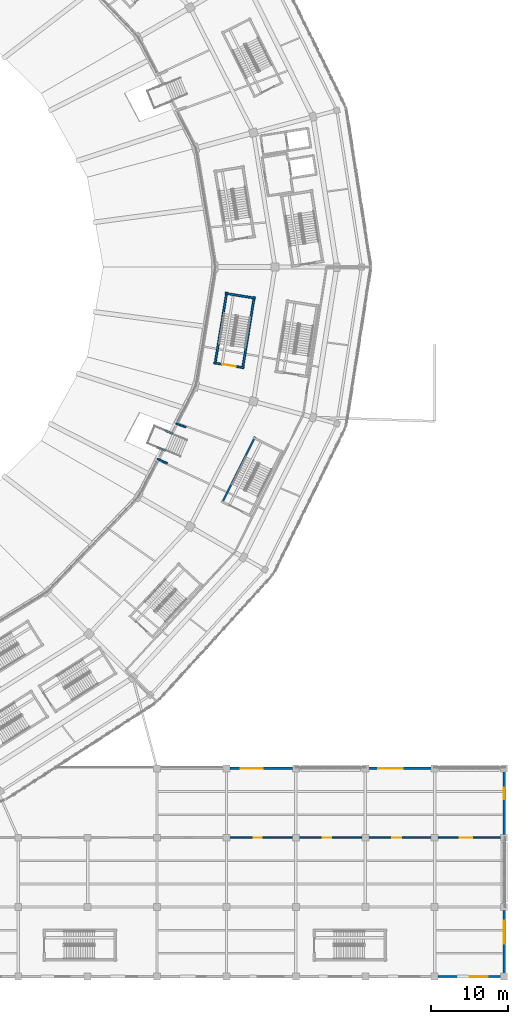
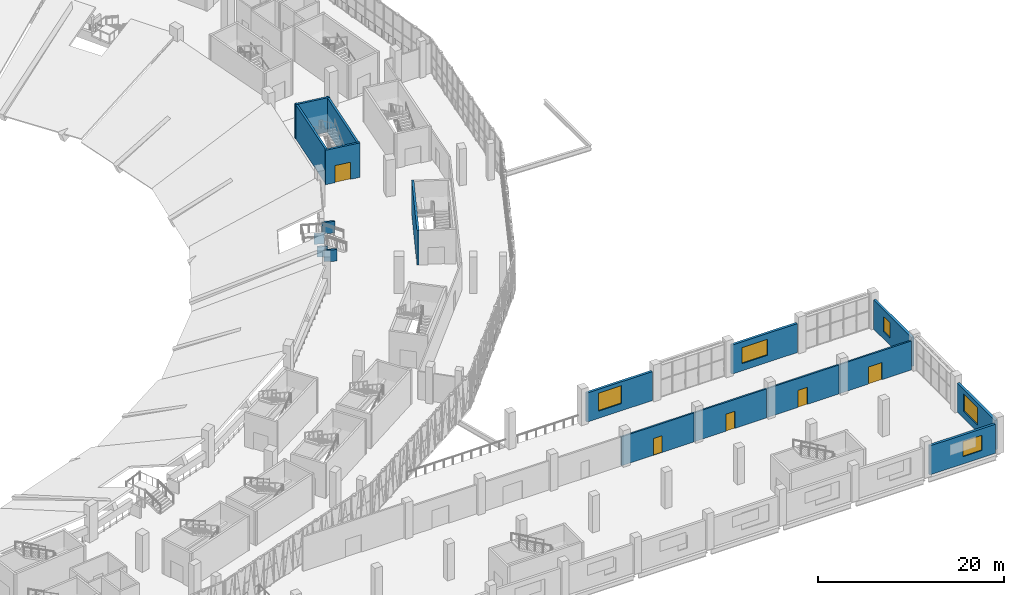
# One storey, part 104 of 183: 18 walls, 5 doors, 5 windows, 10 openings.
"""IFC4 building model written with IfcOpenShell, lengths in metres."""

import ifcopenshell
import ifcopenshell.guid

model = None  # the IFC model being written
_history = None  # IfcOwnerHistory: only IFC2X3 demands one
_inside = {}  # id of a spatial element -> (the spatial element, [elements in it])
_under = {}  # id of a project, library or spatial element -> (it, [spatial elements below it])
_declared = {}  # id of a project -> (the project, [libraries it declares])
_typed = {}  # id of a type object -> (the type object, [elements of that type])
_made_of = {}  # id of a material, layer set ... -> (it, [elements and type objects made of it])


def new_model(schema):
    """Start an empty IFC model of exactly this schema.

    Asked for "IFC4X3", IfcOpenShell would pick the latest addendum, in which some entities
    have other attributes; the version numbers below select the first issue.
    IFC2X3 requires an IfcOwnerHistory on every rooted entity: one is made here for all.
    """
    global model, _history
    if schema == "IFC4X3":
        model = ifcopenshell.file(schema_version=(4, 3, 0, 0))
    else:
        model = ifcopenshell.file(schema=schema)
    _inside.clear()
    _under.clear()
    _declared.clear()
    _typed.clear()
    _made_of.clear()
    _history = None
    if model.schema == "IFC2X3":
        org = make("IfcOrganization", Name="unknown")
        user = make(
            "IfcPersonAndOrganization",
            ThePerson=make("IfcPerson", FamilyName="unknown"),
            TheOrganization=org,
        )
        app = make(
            "IfcApplication",
            ApplicationDeveloper=org,
            Version="unknown",
            ApplicationFullName="unknown",
            ApplicationIdentifier="unknown",
        )
        _history = make(
            "IfcOwnerHistory",
            OwningUser=user,
            OwningApplication=app,
            ChangeAction="ADDED",
            CreationDate=0,
        )
    return model


def make(cls, **values):
    """One entity of the class cls with the attributes given. An attribute that is None is left unset."""
    return model.create_entity(
        cls, **{name: value for name, value in values.items() if value is not None}
    )


def rooted(cls, **values):
    """An entity with a GlobalId (a new one), such as an element, a storey or a relation."""
    return make(cls, GlobalId=ifcopenshell.guid.new(), OwnerHistory=_history, **values)


def si_unit(unit_type, name, prefix=None):
    """IfcSIUnit, for example si_unit("LENGTHUNIT", "METRE", prefix="MILLI")."""
    return make("IfcSIUnit", UnitType=unit_type, Prefix=prefix, Name=name)


def assignment(units):
    """IfcUnitAssignment: the units of a project."""
    return None if units is None else make("IfcUnitAssignment", Units=units)


def point(xyz):
    """IfcCartesianPoint."""
    return None if xyz is None else make("IfcCartesianPoint", Coordinates=xyz)


def direction(xyz):
    """IfcDirection."""
    return None if xyz is None else make("IfcDirection", DirectionRatios=xyz)


def frame(location, z_axis=None, x_axis=None):
    """IfcAxis2Placement3D, a coordinate frame: its origin and axes. An axis left out is left unset."""
    return make(
        "IfcAxis2Placement3D",
        Location=point(location),
        Axis=direction(z_axis),
        RefDirection=direction(x_axis),
    )


def frame_2d(location, x_axis=None):
    """IfcAxis2Placement2D, a coordinate frame in the plane: its origin and x axis."""
    return make(
        "IfcAxis2Placement2D", Location=point(location), RefDirection=direction(x_axis)
    )


def origin():
    """The frame at (0, 0, 0) with its axes left unset."""
    return frame((0.0, 0.0, 0.0))


def place(relative_to, where):
    """IfcLocalPlacement: puts the frame where relative to a parent placement (None: the world)."""
    return make(
        "IfcLocalPlacement", PlacementRelTo=relative_to, RelativePlacement=where
    )


def context(
    kind, dimensions, precision=None, world=None, true_north=None, identifier=None
):
    """IfcGeometricRepresentationContext, for example the 3D "Model" context."""
    return make(
        "IfcGeometricRepresentationContext",
        ContextIdentifier=identifier,
        ContextType=kind,
        CoordinateSpaceDimension=dimensions,
        Precision=precision,
        WorldCoordinateSystem=world,
        TrueNorth=true_north,
    )


def subcontext(parent, identifier, kind, view, scale=None):
    """IfcGeometricRepresentationSubContext, for example "Body" below "Model"."""
    return make(
        "IfcGeometricRepresentationSubContext",
        ContextIdentifier=identifier,
        ContextType=kind,
        ParentContext=parent,
        TargetScale=scale,
        TargetView=view,
    )


def project(units=None, contexts=None):
    """IfcProject with its units and contexts."""
    return rooted(
        "IfcProject",
        Name="project",
        RepresentationContexts=contexts,
        UnitsInContext=assignment(units),
    )


def spatial(cls, under=None, at=None, **own):
    """A site, building, storey or space (cls), placed at a placement, below another one or the project."""
    s = rooted(cls, ObjectPlacement=at, **own)
    if under is not None:
        _under.setdefault(under.id(), (under, []))[1].append(s)
    return s


def profile(cls, at=None, kind="AREA", **sizes):
    """A parametric profile (cls). Its sizes go by their IFC names, for example OverallWidth=200.0."""
    return make(cls, ProfileType=kind, Position=at, **sizes)


def rectangle(**sizes):
    """IfcRectangleProfileDef."""
    return profile("IfcRectangleProfileDef", **sizes)


def extrude(swept, where, along, depth):
    """IfcExtrudedAreaSolid: the profile swept, set in the frame where, extruded along a direction by depth."""
    return make(
        "IfcExtrudedAreaSolid",
        SweptArea=swept,
        Position=where,
        ExtrudedDirection=direction(along),
        Depth=depth,
    )


def shape(context_of_items, identifier, shape_type, items):
    """IfcShapeRepresentation: the items that make up one representation, for example the "Body"."""
    return make(
        "IfcShapeRepresentation",
        ContextOfItems=context_of_items,
        RepresentationIdentifier=identifier,
        RepresentationType=shape_type,
        Items=items,
    )


def material(Name=None, Category=None):
    """IfcMaterial."""
    return make("IfcMaterial", Name=Name, Category=Category)


def layer(
    of_material, thickness, ventilated=None, Name=None, Category=None, Priority=None
):
    """IfcMaterialLayer: one layer of a wall or slab, of a material (None: an air gap)."""
    return make(
        "IfcMaterialLayer",
        Material=of_material,
        LayerThickness=thickness,
        IsVentilated=ventilated,
        Name=Name,
        Category=Category,
        Priority=Priority,
    )


def layer_set(layers, Name=None):
    """IfcMaterialLayerSet."""
    return make("IfcMaterialLayerSet", MaterialLayers=layers, LayerSetName=Name)


def made_of(thing, what):
    """Note that an element or type object is made of a material, layer set ...; save() writes the relation."""
    if what is not None:
        _made_of.setdefault(what.id(), (what, []))[1].append(thing)
    return thing


def type_object(cls, material=None, **own):
    """A type object (cls), such as IfcWallType, which elements share."""
    return made_of(rooted(cls, **own), material)


def element(
    cls,
    number,
    at=None,
    inside=None,
    cuts=None,
    type_object=None,
    material=None,
    context=None,
    identifier="Body",
    shape_type=None,
    held_by="IfcProductDefinitionShape",
    body=None,
    shapes=None,
    **own,
):
    """One element of the class cls, such as IfcWall. Its Tag is "e" and its number.

    at: its placement. inside: the storey or other place that contains it. cuts: it is an
    opening in that element (IfcRelVoidsElement). A single representation is given by context,
    identifier, shape_type and body (its items); several are given by shapes. held_by: the class
    of the entity that holds the representations. save() writes the other relations.
    """
    e = rooted(cls, Tag="e%d" % number, ObjectPlacement=at, **own)
    if body is not None:
        shapes = [shape(context, identifier, shape_type, body)]
    if shapes is not None:
        e.Representation = make(held_by, Representations=shapes)
    if inside is not None:
        _inside.setdefault(inside.id(), (inside, []))[1].append(e)
    if cuts is not None:
        rooted(
            "IfcRelVoidsElement", RelatingBuildingElement=cuts, RelatedOpeningElement=e
        )
    if type_object is not None:
        _typed.setdefault(type_object.id(), (type_object, []))[1].append(e)
    return made_of(e, material)


def fill(opening, filler):
    """IfcRelFillsElement: the door or window that sits in an opening."""
    return rooted(
        "IfcRelFillsElement",
        RelatingOpeningElement=opening,
        RelatedBuildingElement=filler,
    )


def aggregate(whole, parts):
    """IfcRelAggregates: a whole, such as a stair, and the parts it consists of."""
    return rooted("IfcRelAggregates", RelatingObject=whole, RelatedObjects=parts)


def save(model, path):
    """Write the relations noted so far, then the file.

    IfcRelAggregates (storeys below a building ...), IfcRelContainedInSpatialStructure (elements
    in a storey), IfcRelDefinesByType, IfcRelAssociatesMaterial and IfcRelDeclares: one each for
    every whole, place, type object, material and project.
    """
    for whole, parts in _under.values():
        aggregate(whole, parts)
    for where, things in _inside.values():
        rooted(
            "IfcRelContainedInSpatialStructure",
            RelatedElements=things,
            RelatingStructure=where,
        )
    for kind, things in _typed.values():
        rooted("IfcRelDefinesByType", RelatedObjects=things, RelatingType=kind)
    for what, things in _made_of.values():
        rooted("IfcRelAssociatesMaterial", RelatedObjects=things, RelatingMaterial=what)
    for by, libraries in _declared.values():
        rooted("IfcRelDeclares", RelatingContext=by, RelatedDefinitions=libraries)
    model.write(path)


model = new_model("IFC4")

# Units and contexts
model_context = context("Model", 3, precision=1e-05, world=origin(), true_north=direction((0.0, 1.0)))
body_context = subcontext(model_context, "Body", "Model", "MODEL_VIEW")
ifc_project = project(units=[si_unit("LENGTHUNIT", "METRE"), si_unit("AREAUNIT", "SQUARE_METRE"), si_unit("VOLUMEUNIT", "CUBIC_METRE"), si_unit("PLANEANGLEUNIT", "RADIAN"), si_unit("MASSUNIT", "GRAM", prefix="KILO")], contexts=[model_context])

# Site, building, storey
site_placement = place(None, origin())
site = spatial("IfcSite", under=ifc_project, at=site_placement, CompositionType="ELEMENT")
building_placement = place(site_placement, origin())
building = spatial("IfcBuilding", under=site, at=building_placement, Name="Zevraka Park Crest Stadium", CompositionType="ELEMENT")
storey_placement = place(building_placement, frame((0.0, 0.0, 5.39990234375)))
storey = spatial("IfcBuildingStorey", under=building, at=storey_placement, Name="L01", CompositionType="ELEMENT", Elevation=5.39990234375)

# Wall, opening, window
ifc_material_1 = material(Name="Limestone and red clay brick masonry", Category="masonry")
ifc_layer_1 = layer(ifc_material_1, 0.300048828125)
ifc_layer_set_1 = layer_set([ifc_layer_1], Name="Limestone and red clay brick masonry")
wall_type_1 = type_object("IfcWallType", Name="EW02", PredefinedType="STANDARD", material=ifc_layer_set_1)
wall_1_placement = place(storey_placement, frame((223.574951171875, 0.0, 0.0), z_axis=(0.0, 0.0, 1.0), x_axis=(-1.0, 0.0, 0.0)))
wall_1 = element("IfcWall", 1, at=wall_1_placement, inside=storey, type_object=wall_type_1, Name="Wing External Cavity Wall EW02 L01-SE-S1-1", PredefinedType="STANDARD", context=body_context, shape_type="SweptSolid", body=[
    extrude(rectangle(XDim=8.14990234375, YDim=0.300048828125, at=frame_2d((4.074951171875, 0.0))), origin(), (0.0, 0.0, 1.0), 3.8037109375),
])
opening_1_placement = place(wall_1_placement, frame((1.677001953125, 0.0, 0.949951171875)))
opening_1 = element("IfcOpeningElement", 2, at=opening_1_placement, cuts=wall_1, Name="Opening WN21", PredefinedType="OPENING", context=body_context, shape_type="SweptSolid", body=[
    extrude(rectangle(XDim=2.35009765625, YDim=2.0, at=frame_2d((1.175048828125, 1.0))), frame((0.0, 0.159912109375, 0.0), z_axis=(0.0, -1.0, 0.0), x_axis=(1.0, 0.0, 0.0)), (0.0, 0.0, 1.0), 0.320068359375),
])
ifc_material_2 = material(Name="Solar-control laminated double glazing in aluminium frame", Category="aluminium")
window_type_1 = type_object("IfcWindowType", Name="WN21", PartitioningType="SINGLE_PANEL", PredefinedType="WINDOW", material=ifc_material_2)
window_1_placement = place(opening_1_placement, origin())
window_1 = element("IfcWindow", 3, at=window_1_placement, inside=storey, type_object=window_type_1, Name="Facade Casement Window WN21 W-L01-103", OverallHeight=2.0, OverallWidth=2.35009765625, PartitioningType="SINGLE_PANEL", PredefinedType="WINDOW", context=body_context, shape_type="SweptSolid", body=[
    extrude(rectangle(XDim=2.35009765625, YDim=2.0, at=frame_2d((1.175048828125, 1.0))), frame((0.0, 0.030029296875, 0.0), z_axis=(0.0, -1.0, 0.0), x_axis=(1.0, 0.0, 0.0)), (0.0, 0.0, 1.0), 0.06005859375),
])
fill(opening_1, window_1)

wall_2_placement = place(storey_placement, frame((224.0, 26.574951171875, 0.0), z_axis=(0.0, 0.0, 1.0), x_axis=(0.0, -1.0, 0.0)))
wall_2 = element("IfcWall", 4, at=wall_2_placement, inside=storey, type_object=wall_type_1, Name="Wing External Cavity Wall EW02 L01-SE-E-1", PredefinedType="STANDARD", context=body_context, shape_type="SweptSolid", body=[
    extrude(rectangle(XDim=8.14990234375, YDim=0.300048828125, at=frame_2d((4.074951171875, 0.0))), origin(), (0.0, 0.0, 1.0), 3.837158203125),
])
opening_2_placement = place(wall_2_placement, frame((2.10205078125, 0.0, 0.949951171875)))
opening_2 = element("IfcOpeningElement", 5, at=opening_2_placement, cuts=wall_2, Name="Opening WN03", PredefinedType="OPENING", context=body_context, shape_type="SweptSolid", body=[
    extrude(rectangle(XDim=1.5, YDim=2.0, at=frame_2d((0.75, 1.0))), frame((0.0, 0.159912109375, 0.0), z_axis=(0.0, -1.0, 0.0), x_axis=(1.0, 0.0, 0.0)), (0.0, 0.0, 1.0), 0.320068359375),
])
ifc_material_3 = material(Name="Solar-control laminated double glazing in aluminium frame", Category="aluminium")
window_type_2 = type_object("IfcWindowType", Name="WN03", PartitioningType="SINGLE_PANEL", PredefinedType="WINDOW", material=ifc_material_3)
window_2_placement = place(opening_2_placement, origin())
window_2 = element("IfcWindow", 6, at=window_2_placement, inside=storey, type_object=window_type_2, Name="Facade Casement Window WN03 W-L01-126", OverallHeight=2.0, OverallWidth=1.5, PartitioningType="SINGLE_PANEL", PredefinedType="WINDOW", context=body_context, shape_type="SweptSolid", body=[
    extrude(rectangle(XDim=1.5, YDim=2.0, at=frame_2d((0.75, 1.0))), frame((0.0, 0.030029296875, 0.0), z_axis=(0.0, -1.0, 0.0), x_axis=(1.0, 0.0, 0.0)), (0.0, 0.0, 1.0), 0.06005859375),
])
fill(opening_2, window_2)

wall_3_placement = place(storey_placement, frame((224.0, 8.574951171875, 0.0), z_axis=(0.0, 0.0, 1.0), x_axis=(0.0, -1.0, 0.0)))
wall_3 = element("IfcWall", 7, at=wall_3_placement, inside=storey, type_object=wall_type_1, Name="Wing External Cavity Wall EW02 L01-SE-E-3", PredefinedType="STANDARD", context=body_context, shape_type="SweptSolid", body=[
    extrude(rectangle(XDim=8.14990234375, YDim=0.300048828125, at=frame_2d((4.074951171875, 0.0))), origin(), (0.0, 0.0, 1.0), 3.837158203125),
])
opening_3_placement = place(wall_3_placement, frame((1.35205078125, 0.0, 0.949951171875)))
opening_3 = element("IfcOpeningElement", 8, at=opening_3_placement, cuts=wall_3, Name="Opening WN04", PredefinedType="OPENING", context=body_context, shape_type="SweptSolid", body=[
    extrude(rectangle(XDim=3.0, YDim=2.300048828125, at=frame_2d((1.5, 1.14990234375))), frame((0.0, 0.159912109375, 0.0), z_axis=(0.0, -1.0, 0.0), x_axis=(1.0, 0.0, 0.0)), (0.0, 0.0, 1.0), 0.320068359375),
])
ifc_material_4 = material(Name="Solar-control laminated double glazing in aluminium frame", Category="aluminium")
window_type_3 = type_object("IfcWindowType", Name="WN04", PartitioningType="SINGLE_PANEL", PredefinedType="WINDOW", material=ifc_material_4)
window_3_placement = place(opening_3_placement, origin())
window_3 = element("IfcWindow", 9, at=window_3_placement, inside=storey, type_object=window_type_3, Name="Facade Casement Window WN04 W-L01-127", OverallHeight=2.300048828125, OverallWidth=3.0, PartitioningType="SINGLE_PANEL", PredefinedType="WINDOW", context=body_context, shape_type="SweptSolid", body=[
    extrude(rectangle(XDim=3.0, YDim=2.300048828125, at=frame_2d((1.5, 1.14990234375))), frame((0.0, 0.030029296875, 0.0), z_axis=(0.0, -1.0, 0.0), x_axis=(1.0, 0.0, 0.0)), (0.0, 0.0, 1.0), 0.06005859375),
])
fill(opening_3, window_3)

wall_4_placement = place(storey_placement, frame((188.425048828125, 27.0, 0.0), z_axis=(0.0, 0.0, 1.0), x_axis=(1.0, 0.0, 0.0)))
wall_4 = element("IfcWall", 10, at=wall_4_placement, inside=storey, type_object=wall_type_1, Name="Wing External Cavity Wall EW02 L01-SE-N-1", PredefinedType="STANDARD", context=body_context, shape_type="SweptSolid", body=[
    extrude(rectangle(XDim=8.14990234375, YDim=0.300048828125, at=frame_2d((4.074951171875, 0.0))), origin(), (0.0, 0.0, 1.0), 3.8037109375),
])
opening_4_placement = place(wall_4_placement, frame((1.427001953125, 0.0, 0.949951171875)))
opening_4 = element("IfcOpeningElement", 11, at=opening_4_placement, cuts=wall_4, Name="Opening WN13", PredefinedType="OPENING", context=body_context, shape_type="SweptSolid", body=[
    extrude(rectangle(XDim=2.85009765625, YDim=2.35009765625, at=frame_2d((1.425048828125, 1.175048828125))), frame((0.0, 0.159912109375, 0.0), z_axis=(0.0, -1.0, 0.0), x_axis=(1.0, 0.0, 0.0)), (0.0, 0.0, 1.0), 0.320068359375),
])
ifc_material_5 = material(Name="Solar-control laminated double glazing in aluminium frame", Category="aluminium")
window_type_4 = type_object("IfcWindowType", Name="WN13", PartitioningType="SINGLE_PANEL", PredefinedType="WINDOW", material=ifc_material_5)
window_4_placement = place(opening_4_placement, origin())
window_4 = element("IfcWindow", 12, at=window_4_placement, inside=storey, type_object=window_type_4, Name="Facade Casement Window WN13 W-L01-136", OverallHeight=2.35009765625, OverallWidth=2.85009765625, PartitioningType="SINGLE_PANEL", PredefinedType="WINDOW", context=body_context, shape_type="SweptSolid", body=[
    extrude(rectangle(XDim=2.85009765625, YDim=2.35009765625, at=frame_2d((1.425048828125, 1.175048828125))), frame((0.0, 0.030029296875, 0.0), z_axis=(0.0, -1.0, 0.0), x_axis=(1.0, 0.0, 0.0)), (0.0, 0.0, 1.0), 0.06005859375),
])
fill(opening_4, window_4)

wall_5_placement = place(storey_placement, frame((206.425048828125, 27.0, 0.0), z_axis=(0.0, 0.0, 1.0), x_axis=(1.0, 0.0, 0.0)))
wall_5 = element("IfcWall", 13, at=wall_5_placement, inside=storey, type_object=wall_type_1, Name="Wing External Cavity Wall EW02 L01-SE-N-3", PredefinedType="STANDARD", context=body_context, shape_type="SweptSolid", body=[
    extrude(rectangle(XDim=8.14990234375, YDim=0.300048828125, at=frame_2d((4.074951171875, 0.0))), origin(), (0.0, 0.0, 1.0), 3.8037109375),
])
opening_5_placement = place(wall_5_placement, frame((1.251953125, 0.0, 0.949951171875)))
opening_5 = element("IfcOpeningElement", 14, at=opening_5_placement, cuts=wall_5, Name="Opening WN14", PredefinedType="OPENING", context=body_context, shape_type="SweptSolid", body=[
    extrude(rectangle(XDim=3.199951171875, YDim=2.10009765625, at=frame_2d((1.60009765625, 1.050048828125))), frame((0.0, 0.159912109375, 0.0), z_axis=(0.0, -1.0, 0.0), x_axis=(1.0, 0.0, 0.0)), (0.0, 0.0, 1.0), 0.320068359375),
])
ifc_material_6 = material(Name="Solar-control laminated double glazing in aluminium frame", Category="aluminium")
window_type_5 = type_object("IfcWindowType", Name="WN14", PartitioningType="SINGLE_PANEL", PredefinedType="WINDOW", material=ifc_material_6)
window_5_placement = place(opening_5_placement, origin())
window_5 = element("IfcWindow", 15, at=window_5_placement, inside=storey, type_object=window_type_5, Name="Facade Casement Window WN14 W-L01-137", OverallHeight=2.10009765625, OverallWidth=3.199951171875, PartitioningType="SINGLE_PANEL", PredefinedType="WINDOW", context=body_context, shape_type="SweptSolid", body=[
    extrude(rectangle(XDim=3.199951171875, YDim=2.10009765625, at=frame_2d((1.60009765625, 1.050048828125))), frame((0.0, 0.030029296875, 0.0), z_axis=(0.0, -1.0, 0.0), x_axis=(1.0, 0.0, 0.0)), (0.0, 0.0, 1.0), 0.06005859375),
])
fill(opening_5, window_5)

# Wall, opening, door
ifc_material_7 = material(Name="Autoclaved aerated masonry blockwork", Category="masonry")
ifc_layer_2 = layer(ifc_material_7, 0.199951171875)
ifc_layer_set_2 = layer_set([ifc_layer_2], Name="Autoclaved aerated masonry blockwork")
wall_type_2 = type_object("IfcWallType", Name="IW01", PredefinedType="PARTITIONING", material=ifc_layer_set_2)
wall_6_placement = place(storey_placement, frame((187.550048828125, 18.0, 0.0), z_axis=(0.0, 0.0, 1.0), x_axis=(1.0, 0.0, 0.0)))
wall_6 = element("IfcWall", 16, at=wall_6_placement, inside=storey, type_object=wall_type_2, Name="Interior Partition IW01 Rainwater Filtration and Water Tank Plant Room L01", PredefinedType="PARTITIONING", context=body_context, shape_type="SweptSolid", body=[
    extrude(rectangle(XDim=9.014892578125, YDim=0.199951171875, at=frame_2d((4.50732421875, 0.0))), origin(), (0.0, 0.0, 1.0), 3.8037109375),
])
opening_6_placement = place(wall_6_placement, frame((3.967041015625, 0.0, 0.0)))
opening_6 = element("IfcOpeningElement", 17, at=opening_6_placement, cuts=wall_6, Name="Opening D-L01-397", PredefinedType="OPENING", context=body_context, shape_type="SweptSolid", body=[
    extrude(rectangle(XDim=1.080078125, YDim=2.199951171875, at=frame_2d((0.5400390625, 1.10009765625))), frame((0.0, 0.10986328125, 0.0), z_axis=(0.0, -1.0, 0.0), x_axis=(1.0, 0.0, 0.0)), (0.0, 0.0, 1.0), 0.219970703125),
])
ifc_material_8 = material(Name="Solid-core hardwood timber leaf in steel frame", Category="steel")
door_type_1 = type_object("IfcDoorType", Name="DR22", OperationType="NOTDEFINED", PredefinedType="DOOR", material=ifc_material_8)
door_1_placement = place(opening_6_placement, origin())
door_1 = element("IfcDoor", 18, at=door_1_placement, inside=storey, type_object=door_type_1, Name="Rainwater Filtration and Water Tank Plant Room Door D-L01-397", OperationType="SINGLE_SWING_LEFT", OverallHeight=2.199951171875, OverallWidth=1.080078125, PredefinedType="DOOR", context=body_context, shape_type="SweptSolid", body=[
    extrude(rectangle(XDim=1.080078125, YDim=2.199951171875, at=frame_2d((0.5400390625, 1.10009765625))), frame((0.0, 0.02490234375, 0.0), z_axis=(0.0, -1.0, 0.0), x_axis=(1.0, 0.0, 0.0)), (0.0, 0.0, 1.0), 0.050048828125),
])
fill(opening_6, door_1)

wall_7_placement = place(storey_placement, frame((196.550048828125, 18.0, 0.0), z_axis=(0.0, 0.0, 1.0), x_axis=(1.0, 0.0, 0.0)))
wall_7 = element("IfcWall", 19, at=wall_7_placement, inside=storey, type_object=wall_type_2, Name="Interior Partition IW01 Rainwater Filtration and Water Tank Plant Room L01", PredefinedType="PARTITIONING", context=body_context, shape_type="SweptSolid", body=[
    extrude(rectangle(XDim=9.014892578125, YDim=0.199951171875, at=frame_2d((4.50732421875, 0.0))), origin(), (0.0, 0.0, 1.0), 3.8037109375),
])
opening_7_placement = place(wall_7_placement, frame((3.947021484375, 0.0, 0.0)))
opening_7 = element("IfcOpeningElement", 20, at=opening_7_placement, cuts=wall_7, Name="Opening D-L01-398", PredefinedType="OPENING", context=body_context, shape_type="SweptSolid", body=[
    extrude(rectangle(XDim=1.1201171875, YDim=2.25, at=frame_2d((0.56005859375, 1.125))), frame((0.0, 0.10986328125, 0.0), z_axis=(0.0, -1.0, 0.0), x_axis=(1.0, 0.0, 0.0)), (0.0, 0.0, 1.0), 0.219970703125),
])
ifc_material_9 = material(Name="Solid-core hardwood timber leaf in steel frame", Category="steel")
door_type_2 = type_object("IfcDoorType", Name="DR23", OperationType="NOTDEFINED", PredefinedType="DOOR", material=ifc_material_9)
door_2_placement = place(opening_7_placement, origin())
door_2 = element("IfcDoor", 21, at=door_2_placement, inside=storey, type_object=door_type_2, Name="Rainwater Filtration and Water Tank Plant Room Door D-L01-398", OperationType="SINGLE_SWING_RIGHT", OverallHeight=2.25, OverallWidth=1.1201171875, PredefinedType="DOOR", context=body_context, shape_type="SweptSolid", body=[
    extrude(rectangle(XDim=1.1201171875, YDim=2.25, at=frame_2d((0.56005859375, 1.125))), frame((0.0, 0.02490234375, 0.0), z_axis=(0.0, -1.0, 0.0), x_axis=(1.0, 0.0, 0.0)), (0.0, 0.0, 1.0), 0.050048828125),
])
fill(opening_7, door_2)

wall_8_placement = place(storey_placement, frame((205.550048828125, 18.0, 0.0), z_axis=(0.0, 0.0, 1.0), x_axis=(1.0, 0.0, 0.0)))
wall_8 = element("IfcWall", 22, at=wall_8_placement, inside=storey, type_object=wall_type_2, Name="Interior Partition IW01 Rainwater Filtration and Water Tank Plant Room L01", PredefinedType="PARTITIONING", context=body_context, shape_type="SweptSolid", body=[
    extrude(rectangle(XDim=9.014892578125, YDim=0.199951171875, at=frame_2d((4.50732421875, 0.0))), origin(), (0.0, 0.0, 1.0), 3.8037109375),
])
opening_8_placement = place(wall_8_placement, frame((3.9169921875, 0.0, 0.0)))
opening_8 = element("IfcOpeningElement", 23, at=opening_8_placement, cuts=wall_8, Name="Opening D-L01-399", PredefinedType="OPENING", context=body_context, shape_type="SweptSolid", body=[
    extrude(rectangle(XDim=1.179931640625, YDim=2.25, at=frame_2d((0.58984375, 1.125))), frame((0.0, 0.10986328125, 0.0), z_axis=(0.0, -1.0, 0.0), x_axis=(1.0, 0.0, 0.0)), (0.0, 0.0, 1.0), 0.219970703125),
])
ifc_material_10 = material(Name="Solid-core hardwood timber leaf in steel frame", Category="steel")
door_type_3 = type_object("IfcDoorType", Name="DR24", OperationType="NOTDEFINED", PredefinedType="DOOR", material=ifc_material_10)
door_3_placement = place(opening_8_placement, origin())
door_3 = element("IfcDoor", 24, at=door_3_placement, inside=storey, type_object=door_type_3, Name="Rainwater Filtration and Water Tank Plant Room Door D-L01-399", OperationType="SINGLE_SWING_LEFT", OverallHeight=2.25, OverallWidth=1.179931640625, PredefinedType="DOOR", context=body_context, shape_type="SweptSolid", body=[
    extrude(rectangle(XDim=1.179931640625, YDim=2.25, at=frame_2d((0.58984375, 1.125))), frame((0.0, 0.02490234375, 0.0), z_axis=(0.0, -1.0, 0.0), x_axis=(1.0, 0.0, 0.0)), (0.0, 0.0, 1.0), 0.050048828125),
])
fill(opening_8, door_3)

wall_9_placement = place(storey_placement, frame((214.550048828125, 18.0, 0.0), z_axis=(0.0, 0.0, 1.0), x_axis=(1.0, 0.0, 0.0)))
wall_9 = element("IfcWall", 25, at=wall_9_placement, inside=storey, type_object=wall_type_2, Name="Interior Partition IW01 Rainwater Filtration and Water Tank Plant Room L01", PredefinedType="PARTITIONING", context=body_context, shape_type="SweptSolid", body=[
    extrude(rectangle(XDim=9.014892578125, YDim=0.199951171875, at=frame_2d((4.50732421875, 0.0))), origin(), (0.0, 0.0, 1.0), 3.8037109375),
])
opening_9_placement = place(wall_9_placement, frame((3.681884765625, 0.0, 0.0)))
opening_9 = element("IfcOpeningElement", 26, at=opening_9_placement, cuts=wall_9, Name="Opening D-L01-400", PredefinedType="OPENING", context=body_context, shape_type="SweptSolid", body=[
    extrude(rectangle(XDim=1.64990234375, YDim=2.25, at=frame_2d((0.824951171875, 1.125))), frame((0.0, 0.10986328125, 0.0), z_axis=(0.0, -1.0, 0.0), x_axis=(1.0, 0.0, 0.0)), (0.0, 0.0, 1.0), 0.219970703125),
])
ifc_material_11 = material(Name="Solid-core hardwood timber leaf in steel frame", Category="steel")
door_type_4 = type_object("IfcDoorType", Name="DR26", OperationType="NOTDEFINED", PredefinedType="DOOR", material=ifc_material_11)
door_4_placement = place(opening_9_placement, origin())
door_4 = element("IfcDoor", 27, at=door_4_placement, inside=storey, type_object=door_type_4, Name="Rainwater Filtration and Water Tank Plant Room Door D-L01-400", OperationType="DOUBLE_DOOR_SINGLE_SWING", OverallHeight=2.25, OverallWidth=1.64990234375, PredefinedType="DOOR", context=body_context, shape_type="SweptSolid", body=[
    extrude(rectangle(XDim=1.64990234375, YDim=2.25, at=frame_2d((0.824951171875, 1.125))), frame((0.0, 0.02490234375, 0.0), z_axis=(0.0, -1.0, 0.0), x_axis=(1.0, 0.0, 0.0)), (0.0, 0.0, 1.0), 0.050048828125),
])
fill(opening_9, door_4)

# Walls
ifc_material_12 = material(Name="Concrete C40/50", Category="concrete")
ifc_layer_3 = layer(ifc_material_12, 0.25)
ifc_layer_set_3 = layer_set([ifc_layer_3], Name="Concrete C40/50")
wall_type_3 = type_object("IfcWallType", Name="SW01", PredefinedType="SHEAR", material=ifc_layer_set_3)
wall_10_placement = place(storey_placement, frame((191.70947265625, 69.98095703125, 0.0), z_axis=(0.0, 0.0, 1.0), x_axis=(-0.4479088042, -0.894079248792, 0.0)))
element("IfcWall", 28, at=wall_10_placement, inside=storey, type_object=wall_type_3, Name="Stair Core Shear Wall SW01 ST23 L01 right", PredefinedType="SHEAR", context=body_context, shape_type="SweptSolid", body=[
    extrude(rectangle(XDim=9.550048828125, YDim=0.25, at=frame_2d((4.77490234375, 0.0))), origin(), (0.0, 0.0, 1.0), 4.52001953125),
])
for number, where, z_axis, x_axis, name in (
    (29, (190.0908203125, 78.84033203125, 0.0), (0.0, 0.0, 1.0), (0.160694331821, 0.987004220721, 0.0), "Stair Core Shear Wall SW01 ST44 L01 left"),
    (30, (188.03662109375, 88.749267578125, 0.0), (0.0, 0.0, 1.0), (-0.160719499634, -0.987000122815, 0.0), "Stair Core Shear Wall SW01 ST44 L01 right"),
):
    element("IfcWall", number, at=place(storey_placement, frame(where, z_axis=z_axis, x_axis=x_axis)), inside=storey, type_object=wall_type_3, Name=name, PredefinedType="SHEAR", context=body_context, shape_type="SweptSolid", body=[
        extrude(rectangle(XDim=9.449951171875, YDim=0.25, at=frame_2d((4.72509765625, 0.0))), origin(), (0.0, 0.0, 1.0), 4.52001953125),
    ])

# Wall, opening, door
wall_11_placement = place(storey_placement, frame((186.3701171875, 79.57275390625, 0.0), z_axis=(0.0, 0.0, 1.0), x_axis=(0.987008406822, -0.160668618163, 0.0)))
wall_11 = element("IfcWall", 31, at=wall_11_placement, inside=storey, type_object=wall_type_3, Name="Stair Core Shear Wall SW01 ST44 L01 near", PredefinedType="SHEAR", context=body_context, shape_type="SweptSolid", body=[
    extrude(rectangle(XDim=3.9599609375, YDim=0.25, at=frame_2d((1.97998046875, 0.0))), origin(), (0.0, 0.0, 1.0), 4.52001953125),
])
opening_10_placement = place(wall_11_placement, frame((1.080078125, 0.0, 0.0)))
opening_10 = element("IfcOpeningElement", 32, at=opening_10_placement, cuts=wall_11, Name="Opening D-L01-231", PredefinedType="OPENING", context=body_context, shape_type="SweptSolid", body=[
    extrude(rectangle(XDim=1.800048828125, YDim=2.25, at=frame_2d((0.89990234375, 1.125))), frame((0.0, 0.135009765625, 0.0), z_axis=(0.0, -1.0, 0.0), x_axis=(1.0, 0.0, 0.0)), (0.0, 0.0, 1.0), 0.27001953125),
])
ifc_material_13 = material(Name="Solid-core hardwood timber leaf in steel frame", Category="steel")
door_type_5 = type_object("IfcDoorType", Name="DR04", OperationType="NOTDEFINED", PredefinedType="DOOR", material=ifc_material_13)
door_5_placement = place(opening_10_placement, origin())
door_5 = element("IfcDoor", 33, at=door_5_placement, inside=storey, type_object=door_type_5, Name="Protected Stair Entry Door ST44 L01", OperationType="DOUBLE_DOOR_SINGLE_SWING", OverallHeight=2.25, OverallWidth=1.800048828125, PredefinedType="DOOR", context=body_context, shape_type="SweptSolid", body=[
    extrude(rectangle(XDim=1.800048828125, YDim=2.25, at=frame_2d((0.89990234375, 1.125))), frame((0.0, 0.02490234375, 0.0), z_axis=(0.0, -1.0, 0.0), x_axis=(1.0, 0.0, 0.0)), (0.0, 0.0, 1.0), 0.050048828125),
])
fill(opening_10, door_5)

# Walls
wall_12_placement = place(storey_placement, frame((191.74755859375, 87.957763671875, 0.0), z_axis=(0.0, 0.0, 1.0), x_axis=(-0.987008406822, 0.160668618163, 0.0)))
element("IfcWall", 34, at=wall_12_placement, inside=storey, type_object=wall_type_3, Name="Stair Core Shear Wall SW01 ST44 L01 far", PredefinedType="SHEAR", context=body_context, shape_type="SweptSolid", body=[
    extrude(rectangle(XDim=3.9599609375, YDim=0.25, at=frame_2d((1.97998046875, 0.0))), origin(), (0.0, 0.0, 1.0), 4.52001953125),
])
ifc_material_14 = material(Name="Concrete C40/50", Category="concrete")
ifc_layer_4 = layer(ifc_material_14, 0.219970703125)
ifc_layer_set_4 = layer_set([ifc_layer_4], Name="Concrete C40/50")
wall_type_4 = type_object("IfcWallType", Name="SW02", PredefinedType="SHEAR", material=ifc_layer_set_4)
for number, where, z_axis, x_axis, name in (
    (35, (179.049072265625, 67.12890625, 0.0), (0.0, 0.0, 1.0), (0.906956638148, -0.421223998033, 0.0), "Vomitory Portal Raker Pier Wall SW02 22-1"),
    (36, (181.430908203125, 71.720947265625, 0.0), (0.0, 0.0, 1.0), (0.939170864262, -0.343450269648, 0.0), "Vomitory Portal Raker Pier Wall SW02 22-2"),
):
    element("IfcWall", number, at=place(storey_placement, frame(where, z_axis=z_axis, x_axis=x_axis)), inside=storey, type_object=wall_type_4, Name=name, PredefinedType="SHEAR", context=body_context, shape_type="SweptSolid", body=[
        extrude(rectangle(XDim=1.400390625, YDim=0.219970703125, at=frame_2d((0.7001953125, 0.0))), origin(), (0.0, 0.0, 1.0), 1.510009765625),
    ])
for number, where, z_axis, x_axis, name in (
    (37, (180.9990234375, 70.409912109375, -0.2998046875), (0.0, 0.0, 1.0), (-0.923844027884, 0.382769136873, 0.0), "Vomitory Portal Support Wall SW02 VS-08-1"),
    (38, (180.0810546875, 68.19189453125, -0.2998046875), (0.0, 0.0, 1.0), (-0.923844027884, 0.382769136873, 0.0), "Vomitory Portal Support Wall SW02 VS-08-2"),
):
    element("IfcWall", number, at=place(storey_placement, frame(where, z_axis=z_axis, x_axis=x_axis)), inside=storey, type_object=wall_type_4, Name=name, PredefinedType="SHEAR", context=body_context, shape_type="SweptSolid", body=[
        extrude(rectangle(XDim=1.13671875, YDim=0.219970703125, at=frame_2d((0.568359375, 0.0))), origin(), (0.0, 0.0, 1.0), 1.31982421875),
    ])

save(model, "model.ifc")
